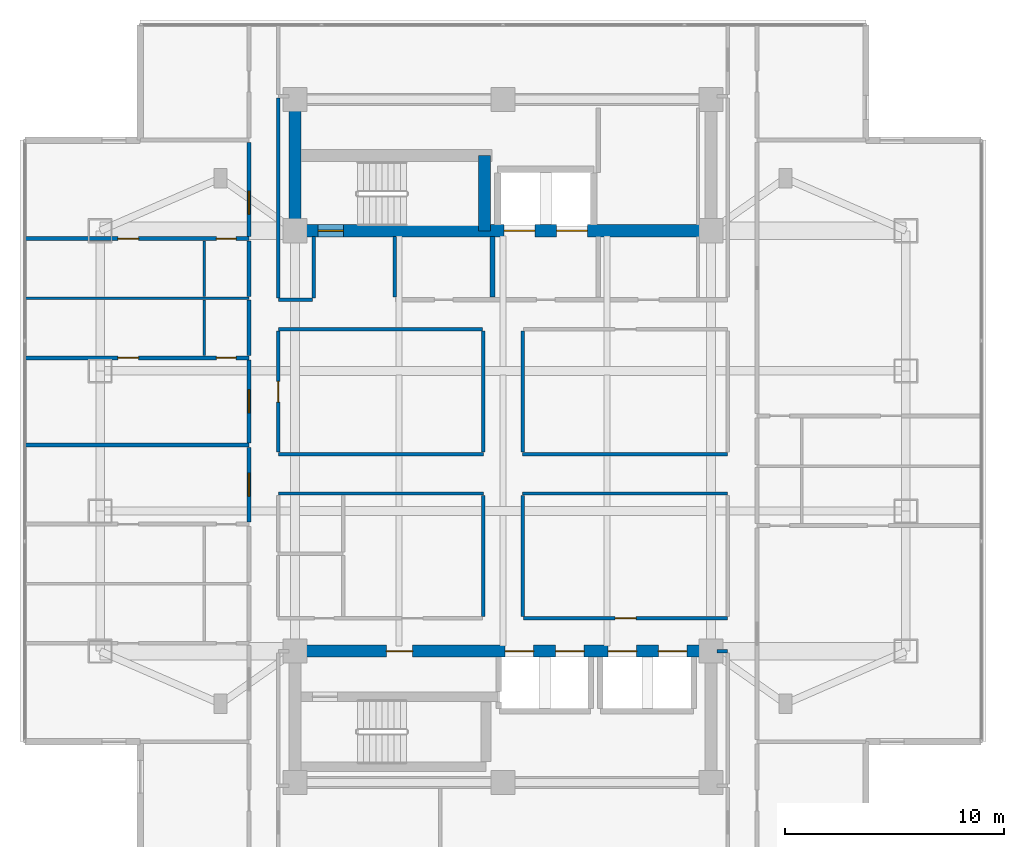
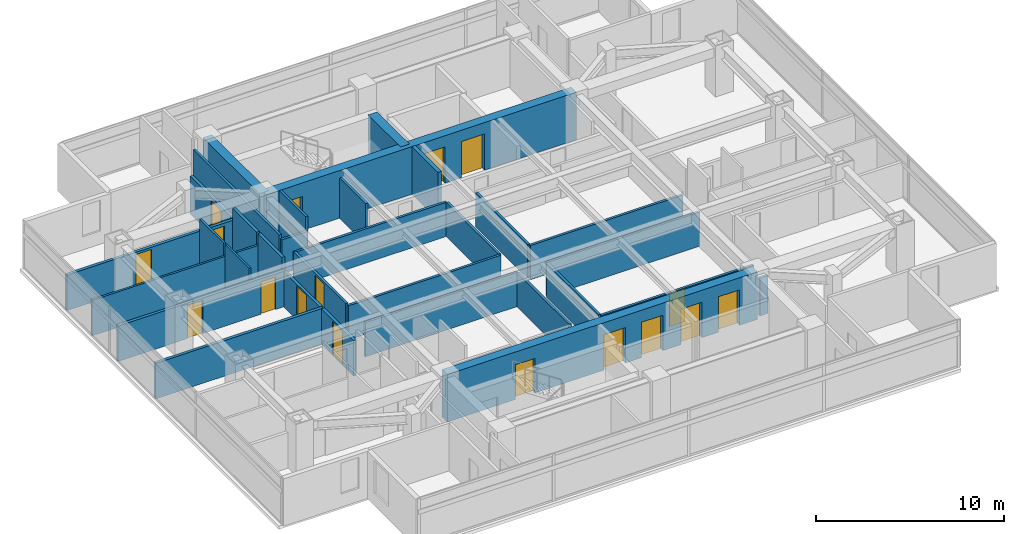
# One storey, part 14 of 24: 32 walls, 17 doors, 17 openings.
"""IFC4 building model written with IfcOpenShell, lengths in metres."""

import ifcopenshell
import ifcopenshell.guid

model = None  # the IFC model being written
_history = None  # IfcOwnerHistory: only IFC2X3 demands one
_inside = {}  # id of a spatial element -> (the spatial element, [elements in it])
_under = {}  # id of a project, library or spatial element -> (it, [spatial elements below it])
_declared = {}  # id of a project -> (the project, [libraries it declares])
_typed = {}  # id of a type object -> (the type object, [elements of that type])
_made_of = {}  # id of a material, layer set ... -> (it, [elements and type objects made of it])


def new_model(schema):
    """Start an empty IFC model of exactly this schema.

    Asked for "IFC4X3", IfcOpenShell would pick the latest addendum, in which some entities
    have other attributes; the version numbers below select the first issue.
    IFC2X3 requires an IfcOwnerHistory on every rooted entity: one is made here for all.
    """
    global model, _history
    if schema == "IFC4X3":
        model = ifcopenshell.file(schema_version=(4, 3, 0, 0))
    else:
        model = ifcopenshell.file(schema=schema)
    _inside.clear()
    _under.clear()
    _declared.clear()
    _typed.clear()
    _made_of.clear()
    _history = None
    if model.schema == "IFC2X3":
        org = make("IfcOrganization", Name="unknown")
        user = make(
            "IfcPersonAndOrganization",
            ThePerson=make("IfcPerson", FamilyName="unknown"),
            TheOrganization=org,
        )
        app = make(
            "IfcApplication",
            ApplicationDeveloper=org,
            Version="unknown",
            ApplicationFullName="unknown",
            ApplicationIdentifier="unknown",
        )
        _history = make(
            "IfcOwnerHistory",
            OwningUser=user,
            OwningApplication=app,
            ChangeAction="ADDED",
            CreationDate=0,
        )
    return model


def make(cls, **values):
    """One entity of the class cls with the attributes given. An attribute that is None is left unset."""
    return model.create_entity(
        cls, **{name: value for name, value in values.items() if value is not None}
    )


def rooted(cls, **values):
    """An entity with a GlobalId (a new one), such as an element, a storey or a relation."""
    return make(cls, GlobalId=ifcopenshell.guid.new(), OwnerHistory=_history, **values)


def si_unit(unit_type, name, prefix=None):
    """IfcSIUnit, for example si_unit("LENGTHUNIT", "METRE", prefix="MILLI")."""
    return make("IfcSIUnit", UnitType=unit_type, Prefix=prefix, Name=name)


def assignment(units):
    """IfcUnitAssignment: the units of a project."""
    return None if units is None else make("IfcUnitAssignment", Units=units)


def point(xyz):
    """IfcCartesianPoint."""
    return None if xyz is None else make("IfcCartesianPoint", Coordinates=xyz)


def direction(xyz):
    """IfcDirection."""
    return None if xyz is None else make("IfcDirection", DirectionRatios=xyz)


def frame(location, z_axis=None, x_axis=None):
    """IfcAxis2Placement3D, a coordinate frame: its origin and axes. An axis left out is left unset."""
    return make(
        "IfcAxis2Placement3D",
        Location=point(location),
        Axis=direction(z_axis),
        RefDirection=direction(x_axis),
    )


def frame_2d(location, x_axis=None):
    """IfcAxis2Placement2D, a coordinate frame in the plane: its origin and x axis."""
    return make(
        "IfcAxis2Placement2D", Location=point(location), RefDirection=direction(x_axis)
    )


def origin():
    """The frame at (0, 0, 0) with its axes left unset."""
    return frame((0.0, 0.0, 0.0))


def place(relative_to, where):
    """IfcLocalPlacement: puts the frame where relative to a parent placement (None: the world)."""
    return make(
        "IfcLocalPlacement", PlacementRelTo=relative_to, RelativePlacement=where
    )


def context(
    kind, dimensions, precision=None, world=None, true_north=None, identifier=None
):
    """IfcGeometricRepresentationContext, for example the 3D "Model" context."""
    return make(
        "IfcGeometricRepresentationContext",
        ContextIdentifier=identifier,
        ContextType=kind,
        CoordinateSpaceDimension=dimensions,
        Precision=precision,
        WorldCoordinateSystem=world,
        TrueNorth=true_north,
    )


def subcontext(parent, identifier, kind, view, scale=None):
    """IfcGeometricRepresentationSubContext, for example "Body" below "Model"."""
    return make(
        "IfcGeometricRepresentationSubContext",
        ContextIdentifier=identifier,
        ContextType=kind,
        ParentContext=parent,
        TargetScale=scale,
        TargetView=view,
    )


def project(units=None, contexts=None):
    """IfcProject with its units and contexts."""
    return rooted(
        "IfcProject",
        Name="project",
        RepresentationContexts=contexts,
        UnitsInContext=assignment(units),
    )


def spatial(cls, under=None, at=None, **own):
    """A site, building, storey or space (cls), placed at a placement, below another one or the project."""
    s = rooted(cls, ObjectPlacement=at, **own)
    if under is not None:
        _under.setdefault(under.id(), (under, []))[1].append(s)
    return s


def profile(cls, at=None, kind="AREA", **sizes):
    """A parametric profile (cls). Its sizes go by their IFC names, for example OverallWidth=200.0."""
    return make(cls, ProfileType=kind, Position=at, **sizes)


def rectangle(**sizes):
    """IfcRectangleProfileDef."""
    return profile("IfcRectangleProfileDef", **sizes)


def extrude(swept, where, along, depth):
    """IfcExtrudedAreaSolid: the profile swept, set in the frame where, extruded along a direction by depth."""
    return make(
        "IfcExtrudedAreaSolid",
        SweptArea=swept,
        Position=where,
        ExtrudedDirection=direction(along),
        Depth=depth,
    )


def shape(context_of_items, identifier, shape_type, items):
    """IfcShapeRepresentation: the items that make up one representation, for example the "Body"."""
    return make(
        "IfcShapeRepresentation",
        ContextOfItems=context_of_items,
        RepresentationIdentifier=identifier,
        RepresentationType=shape_type,
        Items=items,
    )


def material(Name=None, Category=None):
    """IfcMaterial."""
    return make("IfcMaterial", Name=Name, Category=Category)


def layer(
    of_material, thickness, ventilated=None, Name=None, Category=None, Priority=None
):
    """IfcMaterialLayer: one layer of a wall or slab, of a material (None: an air gap)."""
    return make(
        "IfcMaterialLayer",
        Material=of_material,
        LayerThickness=thickness,
        IsVentilated=ventilated,
        Name=Name,
        Category=Category,
        Priority=Priority,
    )


def layer_set(layers, Name=None):
    """IfcMaterialLayerSet."""
    return make("IfcMaterialLayerSet", MaterialLayers=layers, LayerSetName=Name)


def made_of(thing, what):
    """Note that an element or type object is made of a material, layer set ...; save() writes the relation."""
    if what is not None:
        _made_of.setdefault(what.id(), (what, []))[1].append(thing)
    return thing


def type_object(cls, material=None, **own):
    """A type object (cls), such as IfcWallType, which elements share."""
    return made_of(rooted(cls, **own), material)


def element(
    cls,
    number,
    at=None,
    inside=None,
    cuts=None,
    type_object=None,
    material=None,
    context=None,
    identifier="Body",
    shape_type=None,
    held_by="IfcProductDefinitionShape",
    body=None,
    shapes=None,
    **own,
):
    """One element of the class cls, such as IfcWall. Its Tag is "e" and its number.

    at: its placement. inside: the storey or other place that contains it. cuts: it is an
    opening in that element (IfcRelVoidsElement). A single representation is given by context,
    identifier, shape_type and body (its items); several are given by shapes. held_by: the class
    of the entity that holds the representations. save() writes the other relations.
    """
    e = rooted(cls, Tag="e%d" % number, ObjectPlacement=at, **own)
    if body is not None:
        shapes = [shape(context, identifier, shape_type, body)]
    if shapes is not None:
        e.Representation = make(held_by, Representations=shapes)
    if inside is not None:
        _inside.setdefault(inside.id(), (inside, []))[1].append(e)
    if cuts is not None:
        rooted(
            "IfcRelVoidsElement", RelatingBuildingElement=cuts, RelatedOpeningElement=e
        )
    if type_object is not None:
        _typed.setdefault(type_object.id(), (type_object, []))[1].append(e)
    return made_of(e, material)


def fill(opening, filler):
    """IfcRelFillsElement: the door or window that sits in an opening."""
    return rooted(
        "IfcRelFillsElement",
        RelatingOpeningElement=opening,
        RelatedBuildingElement=filler,
    )


def aggregate(whole, parts):
    """IfcRelAggregates: a whole, such as a stair, and the parts it consists of."""
    return rooted("IfcRelAggregates", RelatingObject=whole, RelatedObjects=parts)


def save(model, path):
    """Write the relations noted so far, then the file.

    IfcRelAggregates (storeys below a building ...), IfcRelContainedInSpatialStructure (elements
    in a storey), IfcRelDefinesByType, IfcRelAssociatesMaterial and IfcRelDeclares: one each for
    every whole, place, type object, material and project.
    """
    for whole, parts in _under.values():
        aggregate(whole, parts)
    for where, things in _inside.values():
        rooted(
            "IfcRelContainedInSpatialStructure",
            RelatedElements=things,
            RelatingStructure=where,
        )
    for kind, things in _typed.values():
        rooted("IfcRelDefinesByType", RelatedObjects=things, RelatingType=kind)
    for what, things in _made_of.values():
        rooted("IfcRelAssociatesMaterial", RelatedObjects=things, RelatingMaterial=what)
    for by, libraries in _declared.values():
        rooted("IfcRelDeclares", RelatingContext=by, RelatedDefinitions=libraries)
    model.write(path)


model = new_model("IFC4")

# Units and contexts
model_context = context("Model", 3, precision=1e-05, world=origin(), true_north=direction((0.0, 1.0)))
body_context = subcontext(model_context, "Body", "Model", "MODEL_VIEW")
ifc_project = project(units=[si_unit("LENGTHUNIT", "METRE"), si_unit("AREAUNIT", "SQUARE_METRE"), si_unit("VOLUMEUNIT", "CUBIC_METRE"), si_unit("PLANEANGLEUNIT", "RADIAN"), si_unit("MASSUNIT", "GRAM", prefix="KILO")], contexts=[model_context])

# Site, building, storey
site_placement = place(None, origin())
site = spatial("IfcSite", under=ifc_project, at=site_placement, CompositionType="ELEMENT")
building_placement = place(site_placement, origin())
building = spatial("IfcBuilding", under=site, at=building_placement, Name="Mirazonda Arch Towers", CompositionType="ELEMENT")
storey_placement = place(building_placement, frame((0.0, 0.0, 141.199951171875)))
storey = spatial("IfcBuildingStorey", under=building, at=storey_placement, Name="L40", CompositionType="ELEMENT", Elevation=141.199951171875)

# Wall
ifc_material_1 = material(Name="Concrete C50/60", Category="concrete")
ifc_layer_1 = layer(ifc_material_1, 0.550048828125, Name="WALL-CORE-550")
ifc_layer_set_1 = layer_set([ifc_layer_1], Name="Concrete C50/60")
wall_type_1 = type_object("IfcWallType", Name="WALL-CORE-550", PredefinedType="SHEAR", material=ifc_layer_set_1)
wall_1_placement = place(storey_placement, frame((11.0, 37.60009765625, 0.0), z_axis=(0.0, 0.0, 1.0), x_axis=(0.0, 1.0, 0.0)))
element("IfcWall", 1, at=wall_1_placement, inside=storey, type_object=wall_type_1, Name="L40 T1N-W Core Shear Wall", PredefinedType="SHEAR", context=body_context, shape_type="SweptSolid", body=[
    extrude(rectangle(XDim=6.0, YDim=0.550048828125, at=frame_2d((3.0, 0.0))), origin(), (0.0, 0.0, 1.0), 3.080078125),
])

# Wall, openings, doors
wall_2_placement = place(storey_placement, frame((11.0, 37.60009765625, 0.0), z_axis=(0.0, 0.0, 1.0), x_axis=(1.0, 0.0, 0.0)))
wall_2 = element("IfcWall", 2, at=wall_2_placement, inside=storey, type_object=wall_type_1, Name="L40 T1N-S Core Shear Wall", PredefinedType="SHEAR", context=body_context, shape_type="SweptSolid", body=[
    extrude(rectangle(XDim=19.0, YDim=0.550048828125, at=frame_2d((9.5, 0.0))), origin(), (0.0, 0.0, 1.0), 3.080078125),
])
opening_1_placement = place(wall_2_placement, frame((1.06005859375, 0.0, 0.0)))
opening_1 = element("IfcOpeningElement", 3, at=opening_1_placement, cuts=wall_2, Name="Opening DR-135", PredefinedType="OPENING", context=body_context, shape_type="SweptSolid", body=[
    extrude(rectangle(XDim=1.14990234375, YDim=2.199951171875, at=frame_2d((0.574951171875, 1.10009765625))), frame((0.0, 0.284912109375, 0.0), z_axis=(0.0, -1.0, 0.0), x_axis=(1.0, 0.0, 0.0)), (0.0, 0.0, 1.0), 0.570068359375),
])
opening_2_placement = place(wall_2_placement, frame((9.550048828125, 0.0, 0.0)))
opening_2 = element("IfcOpeningElement", 4, at=opening_2_placement, cuts=wall_2, Name="Opening LD-112", PredefinedType="OPENING", context=body_context, shape_type="SweptSolid", body=[
    extrude(rectangle(XDim=1.39990234375, YDim=2.35009765625, at=frame_2d((0.699951171875, 1.175048828125))), frame((0.0, 0.284912109375, 0.0), z_axis=(0.0, -1.0, 0.0), x_axis=(1.0, 0.0, 0.0)), (0.0, 0.0, 1.0), 0.570068359375),
])
opening_3_placement = place(wall_2_placement, frame((11.949951171875, 0.0, 0.0)))
opening_3 = element("IfcOpeningElement", 5, at=opening_3_placement, cuts=wall_2, Name="Opening LD-112", PredefinedType="OPENING", context=body_context, shape_type="SweptSolid", body=[
    extrude(rectangle(XDim=1.39990234375, YDim=2.35009765625, at=frame_2d((0.699951171875, 1.175048828125))), frame((0.0, 0.284912109375, 0.0), z_axis=(0.0, -1.0, 0.0), x_axis=(1.0, 0.0, 0.0)), (0.0, 0.0, 1.0), 0.570068359375),
])
ifc_material_2 = material(Name="Architectural Brushed Steel S355", Category="steel")
door_type_1 = type_object("IfcDoorType", Name="DOOR-LIFT-FFL-1400", OperationType="NOTDEFINED", PredefinedType="DOOR", material=ifc_material_2)
door_1_placement = place(opening_2_placement, origin())
door_1 = element("IfcDoor", 6, at=door_1_placement, inside=storey, type_object=door_type_1, Name="L40 Lift Landing Sliding Door FFL-T1", OperationType="DOUBLE_DOOR_SLIDING", OverallHeight=2.35009765625, OverallWidth=1.39990234375, PredefinedType="DOOR", context=body_context, shape_type="SweptSolid", body=[
    extrude(rectangle(XDim=1.39990234375, YDim=2.35009765625, at=frame_2d((0.699951171875, 1.175048828125))), frame((0.0, 0.02490234375, 0.0), z_axis=(0.0, -1.0, 0.0), x_axis=(1.0, 0.0, 0.0)), (0.0, 0.0, 1.0), 0.050048828125),
])
fill(opening_2, door_1)
door_2_placement = place(opening_3_placement, origin())
door_2 = element("IfcDoor", 7, at=door_2_placement, inside=storey, type_object=door_type_1, Name="L40 Lift Landing Sliding Door SVL-T1", OperationType="DOUBLE_DOOR_SLIDING", OverallHeight=2.35009765625, OverallWidth=1.39990234375, PredefinedType="DOOR", context=body_context, shape_type="SweptSolid", body=[
    extrude(rectangle(XDim=1.39990234375, YDim=2.35009765625, at=frame_2d((0.699951171875, 1.175048828125))), frame((0.0, 0.02490234375, 0.0), z_axis=(0.0, -1.0, 0.0), x_axis=(1.0, 0.0, 0.0)), (0.0, 0.0, 1.0), 0.050048828125),
])
fill(opening_3, door_2)
door_type_2 = type_object("IfcDoorType", Name="DOOR-STAIR-FD90-1150", OperationType="NOTDEFINED", PredefinedType="DOOR", material=ifc_material_2)
door_3_placement = place(opening_1_placement, origin())
door_3 = element("IfcDoor", 8, at=door_3_placement, inside=storey, type_object=door_type_2, Name="L40 Protected Exit Stair North Door", OperationType="SINGLE_SWING_LEFT", OverallHeight=2.199951171875, OverallWidth=1.14990234375, PredefinedType="DOOR", context=body_context, shape_type="SweptSolid", body=[
    extrude(rectangle(XDim=1.14990234375, YDim=2.199951171875, at=frame_2d((0.574951171875, 1.10009765625))), frame((0.0, 0.02490234375, 0.0), z_axis=(0.0, -1.0, 0.0), x_axis=(1.0, 0.0, 0.0)), (0.0, 0.0, 1.0), 0.050048828125),
])
fill(opening_1, door_3)

# Wall
wall_3_placement = place(storey_placement, frame((19.64990234375, 37.60009765625, 0.0), z_axis=(0.0, 0.0, 1.0), x_axis=(0.0, 1.0, 0.0)))
element("IfcWall", 9, at=wall_3_placement, inside=storey, type_object=wall_type_1, Name="L40 T1N-STE Core Shear Wall", PredefinedType="SHEAR", context=body_context, shape_type="SweptSolid", body=[
    extrude(rectangle(XDim=3.44287109375, YDim=0.550048828125, at=frame_2d((1.721435546875, 0.0))), origin(), (0.0, 0.0, 1.0), 3.080078125),
])

# Wall, openings, doors
wall_4_placement = place(storey_placement, frame((11.0, 18.39990234375, 0.0), z_axis=(0.0, 0.0, 1.0), x_axis=(1.0, 0.0, 0.0)))
wall_4 = element("IfcWall", 10, at=wall_4_placement, inside=storey, type_object=wall_type_1, Name="L40 T1S-N Core Shear Wall", PredefinedType="SHEAR", context=body_context, shape_type="SweptSolid", body=[
    extrude(rectangle(XDim=19.0, YDim=0.550048828125, at=frame_2d((9.5, 0.0))), origin(), (0.0, 0.0, 1.0), 3.080078125),
])
opening_4_placement = place(wall_4_placement, frame((4.175048828125, 0.0, 0.0)))
opening_4 = element("IfcOpeningElement", 11, at=opening_4_placement, cuts=wall_4, Name="Opening DR-117", PredefinedType="OPENING", context=body_context, shape_type="SweptSolid", body=[
    extrude(rectangle(XDim=1.199951171875, YDim=2.25, at=frame_2d((0.60009765625, 1.125))), frame((0.0, 0.284912109375, 0.0), z_axis=(0.0, -1.0, 0.0), x_axis=(1.0, 0.0, 0.0)), (0.0, 0.0, 1.0), 0.570068359375),
])
opening_5_placement = place(wall_4_placement, frame((9.60009765625, 0.0, 0.0)))
opening_5 = element("IfcOpeningElement", 12, at=opening_5_placement, cuts=wall_4, Name="Opening LD-111", PredefinedType="OPENING", context=body_context, shape_type="SweptSolid", body=[
    extrude(rectangle(XDim=1.300048828125, YDim=2.300048828125, at=frame_2d((0.64990234375, 1.14990234375))), frame((0.0, 0.284912109375, 0.0), z_axis=(0.0, -1.0, 0.0), x_axis=(1.0, 0.0, 0.0)), (0.0, 0.0, 1.0), 0.570068359375),
])
opening_6_placement = place(wall_4_placement, frame((11.89990234375, 0.0, 0.0)))
opening_6 = element("IfcOpeningElement", 13, at=opening_6_placement, cuts=wall_4, Name="Opening LD-111", PredefinedType="OPENING", context=body_context, shape_type="SweptSolid", body=[
    extrude(rectangle(XDim=1.300048828125, YDim=2.300048828125, at=frame_2d((0.64990234375, 1.14990234375))), frame((0.0, 0.284912109375, 0.0), z_axis=(0.0, -1.0, 0.0), x_axis=(1.0, 0.0, 0.0)), (0.0, 0.0, 1.0), 0.570068359375),
])
opening_7_placement = place(wall_4_placement, frame((14.300048828125, 0.0, 0.0)))
opening_7 = element("IfcOpeningElement", 14, at=opening_7_placement, cuts=wall_4, Name="Opening LD-111", PredefinedType="OPENING", context=body_context, shape_type="SweptSolid", body=[
    extrude(rectangle(XDim=1.300048828125, YDim=2.300048828125, at=frame_2d((0.64990234375, 1.14990234375))), frame((0.0, 0.284912109375, 0.0), z_axis=(0.0, -1.0, 0.0), x_axis=(1.0, 0.0, 0.0)), (0.0, 0.0, 1.0), 0.570068359375),
])
opening_8_placement = place(wall_4_placement, frame((16.60009765625, 0.0, 0.0)))
opening_8 = element("IfcOpeningElement", 15, at=opening_8_placement, cuts=wall_4, Name="Opening LD-111", PredefinedType="OPENING", context=body_context, shape_type="SweptSolid", body=[
    extrude(rectangle(XDim=1.300048828125, YDim=2.300048828125, at=frame_2d((0.64990234375, 1.14990234375))), frame((0.0, 0.284912109375, 0.0), z_axis=(0.0, -1.0, 0.0), x_axis=(1.0, 0.0, 0.0)), (0.0, 0.0, 1.0), 0.570068359375),
])
door_type_3 = type_object("IfcDoorType", Name="DOOR-FFL-FD90-1200", OperationType="NOTDEFINED", PredefinedType="DOOR", material=ifc_material_2)
door_4_placement = place(opening_4_placement, origin())
door_4 = element("IfcDoor", 16, at=door_4_placement, inside=storey, type_object=door_type_3, Name="L40 South Core Stair & Lift Lobby Door", OperationType="SINGLE_SWING_LEFT", OverallHeight=2.25, OverallWidth=1.199951171875, PredefinedType="DOOR", context=body_context, shape_type="SweptSolid", body=[
    extrude(rectangle(XDim=1.199951171875, YDim=2.25, at=frame_2d((0.60009765625, 1.125))), frame((0.0, 0.02490234375, 0.0), z_axis=(0.0, -1.0, 0.0), x_axis=(1.0, 0.0, 0.0)), (0.0, 0.0, 1.0), 0.050048828125),
])
fill(opening_4, door_4)
door_type_4 = type_object("IfcDoorType", Name="DOOR-LIFT-LAND-1300", OperationType="NOTDEFINED", PredefinedType="DOOR", material=ifc_material_2)
door_5_placement = place(opening_5_placement, origin())
door_5 = element("IfcDoor", 17, at=door_5_placement, inside=storey, type_object=door_type_4, Name="L40 Lift Landing Sliding Door PL-T1M1", OperationType="DOUBLE_DOOR_SLIDING", OverallHeight=2.300048828125, OverallWidth=1.300048828125, PredefinedType="DOOR", context=body_context, shape_type="SweptSolid", body=[
    extrude(rectangle(XDim=1.300048828125, YDim=2.300048828125, at=frame_2d((0.64990234375, 1.14990234375))), frame((0.0, 0.02490234375, 0.0), z_axis=(0.0, -1.0, 0.0), x_axis=(1.0, 0.0, 0.0)), (0.0, 0.0, 1.0), 0.050048828125),
])
fill(opening_5, door_5)
door_6_placement = place(opening_6_placement, origin())
door_6 = element("IfcDoor", 18, at=door_6_placement, inside=storey, type_object=door_type_4, Name="L40 Lift Landing Sliding Door PL-T1M2", OperationType="DOUBLE_DOOR_SLIDING", OverallHeight=2.300048828125, OverallWidth=1.300048828125, PredefinedType="DOOR", context=body_context, shape_type="SweptSolid", body=[
    extrude(rectangle(XDim=1.300048828125, YDim=2.300048828125, at=frame_2d((0.64990234375, 1.14990234375))), frame((0.0, 0.02490234375, 0.0), z_axis=(0.0, -1.0, 0.0), x_axis=(1.0, 0.0, 0.0)), (0.0, 0.0, 1.0), 0.050048828125),
])
fill(opening_6, door_6)
door_7_placement = place(opening_7_placement, origin())
door_7 = element("IfcDoor", 19, at=door_7_placement, inside=storey, type_object=door_type_4, Name="L40 Lift Landing Sliding Door PL-T1H1", OperationType="DOUBLE_DOOR_SLIDING", OverallHeight=2.300048828125, OverallWidth=1.300048828125, PredefinedType="DOOR", context=body_context, shape_type="SweptSolid", body=[
    extrude(rectangle(XDim=1.300048828125, YDim=2.300048828125, at=frame_2d((0.64990234375, 1.14990234375))), frame((0.0, 0.02490234375, 0.0), z_axis=(0.0, -1.0, 0.0), x_axis=(1.0, 0.0, 0.0)), (0.0, 0.0, 1.0), 0.050048828125),
])
fill(opening_7, door_7)
door_8_placement = place(opening_8_placement, origin())
door_8 = element("IfcDoor", 20, at=door_8_placement, inside=storey, type_object=door_type_4, Name="L40 Lift Landing Sliding Door PL-T1H2", OperationType="DOUBLE_DOOR_SLIDING", OverallHeight=2.300048828125, OverallWidth=1.300048828125, PredefinedType="DOOR", context=body_context, shape_type="SweptSolid", body=[
    extrude(rectangle(XDim=1.300048828125, YDim=2.300048828125, at=frame_2d((0.64990234375, 1.14990234375))), frame((0.0, 0.02490234375, 0.0), z_axis=(0.0, -1.0, 0.0), x_axis=(1.0, 0.0, 0.0)), (0.0, 0.0, 1.0), 0.050048828125),
])
fill(opening_8, door_8)

# Walls
ifc_material_3 = material(Name="Concrete C40/50", Category="concrete")
ifc_layer_2 = layer(ifc_material_3, 0.219970703125, Name="WALL-FFL-220")
ifc_layer_set_2 = layer_set([ifc_layer_2], Name="Concrete C40/50")
wall_type_2 = type_object("IfcWallType", Name="WALL-FFL-220", PredefinedType="SOLIDWALL", material=ifc_layer_set_2)
wall_5_placement = place(storey_placement, frame((20.02490234375, 34.570068359375, 0.0), z_axis=(0.0, 0.0, 1.0), x_axis=(0.0, 1.0, 0.0)))
element("IfcWall", 21, at=wall_5_placement, inside=storey, type_object=wall_type_2, Name="L40 Interior Partition 092", PredefinedType="SOLIDWALL", context=body_context, shape_type="SweptSolid", body=[
    extrude(rectangle(XDim=2.760009765625, YDim=0.219970703125, at=frame_2d((1.3798828125, 0.0))), origin(), (0.0, 0.0, 1.0), 3.080078125),
])
ifc_material_4 = material(Name="Fire-Rated Gypsum Stud Partition")
ifc_layer_3 = layer(ifc_material_4, 0.14990234375, Name="WALL-PART-CORR-150")
ifc_layer_set_3 = layer_set([ifc_layer_3], Name="Fire-Rated Gypsum Stud Partition")
wall_type_3 = type_object("IfcWallType", Name="WALL-PART-CORR-150", PredefinedType="PARTITIONING", material=ifc_layer_set_3)
wall_6_placement = place(storey_placement, frame((30.27001953125, 18.39990234375, 0.0), z_axis=(0.0, 0.0, 1.0), x_axis=(1.0, 0.0, 0.0)))
element("IfcWall", 22, at=wall_6_placement, inside=storey, type_object=wall_type_3, Name="L40 Interior Partition 013", PredefinedType="PARTITIONING", context=body_context, shape_type="SweptSolid", body=[
    extrude(rectangle(XDim=0.489990234375, YDim=0.14990234375, at=frame_2d((0.2451171875, 0.0))), origin(), (0.0, 0.0, 1.0), 2.4560546875),
])

# Wall, opening, door
wall_7_placement = place(storey_placement, frame((21.43994140625, 19.89990234375, 0.0), z_axis=(0.0, 0.0, 1.0), x_axis=(1.0, 0.0, 0.0)))
wall_7 = element("IfcWall", 23, at=wall_7_placement, inside=storey, type_object=wall_type_3, Name="L40 Interior Partition 017", PredefinedType="PARTITIONING", context=body_context, shape_type="SweptSolid", body=[
    extrude(rectangle(XDim=9.320068359375, YDim=0.14990234375, at=frame_2d((4.66015625, 0.0))), origin(), (0.0, 0.0, 1.0), 2.216064453125),
])
opening_9_placement = place(wall_7_placement, frame((4.18505859375, 0.0, 0.0)))
opening_9 = element("IfcOpeningElement", 24, at=opening_9_placement, cuts=wall_7, Name="Opening DR-104", PredefinedType="OPENING", context=body_context, shape_type="SweptSolid", body=[
    extrude(rectangle(XDim=0.949951171875, YDim=2.14990234375, at=frame_2d((0.47509765625, 1.074951171875))), frame((0.0, 0.0849609375, 0.0), z_axis=(0.0, -1.0, 0.0), x_axis=(1.0, 0.0, 0.0)), (0.0, 0.0, 1.0), 0.169921875),
])
door_type_5 = type_object("IfcDoorType", Name="DOOR-ROOM-950", OperationType="NOTDEFINED", PredefinedType="DOOR", material=ifc_material_2)
door_9_placement = place(opening_9_placement, origin())
door_9 = element("IfcDoor", 25, at=door_9_placement, inside=storey, type_object=door_type_5, Name="L40 L40 South-East Cruciform Lounge Door", OperationType="SINGLE_SWING_RIGHT", OverallHeight=2.14990234375, OverallWidth=0.949951171875, PredefinedType="DOOR", context=body_context, shape_type="SweptSolid", body=[
    extrude(rectangle(XDim=0.949951171875, YDim=2.14990234375, at=frame_2d((0.47509765625, 1.074951171875))), frame((0.0, 0.02490234375, 0.0), z_axis=(0.0, -1.0, 0.0), x_axis=(1.0, 0.0, 0.0)), (0.0, 0.0, 1.0), 0.050048828125),
])
fill(opening_9, door_9)

# Walls
for number, where, z_axis, x_axis, name in (
    (26, (10.239990234375, 25.60009765625, 0.0), (0.0, 0.0, 1.0), (1.0, 0.0, 0.0), "L40 Interior Partition 029"),
    (27, (21.39990234375, 25.60009765625, 0.0), (0.0, 0.0, 1.0), (1.0, 0.0, 0.0), "L40 Interior Partition 030"),
    (28, (10.239990234375, 27.39990234375, 0.0), (0.0, 0.0, 1.0), (1.0, 0.0, 0.0), "L40 Interior Partition 034"),
    (29, (21.39990234375, 27.39990234375, 0.0), (0.0, 0.0, 1.0), (1.0, 0.0, 0.0), "L40 Interior Partition 035"),
):
    element("IfcWall", number, at=place(storey_placement, frame(where, z_axis=z_axis, x_axis=x_axis)), inside=storey, type_object=wall_type_3, Name=name, PredefinedType="PARTITIONING", context=body_context, shape_type="SweptSolid", body=[
        extrude(rectangle(XDim=9.360107421875, YDim=0.14990234375, at=frame_2d((4.68017578125, 0.0))), origin(), (0.0, 0.0, 1.0), 2.216064453125),
    ])
wall_8_placement = place(storey_placement, frame((10.239990234375, 33.10009765625, 0.0), z_axis=(0.0, 0.0, 1.0), x_axis=(1.0, 0.0, 0.0)))
element("IfcWall", 30, at=wall_8_placement, inside=storey, type_object=wall_type_3, Name="L40 Interior Partition 045", PredefinedType="PARTITIONING", context=body_context, shape_type="SweptSolid", body=[
    extrude(rectangle(XDim=9.320068359375, YDim=0.14990234375, at=frame_2d((4.66015625, 0.0))), origin(), (0.0, 0.0, 1.0), 2.216064453125),
])
wall_9_placement = place(storey_placement, frame((10.239990234375, 34.449951171875, 0.0), z_axis=(0.0, 0.0, 1.0), x_axis=(1.0, 0.0, 0.0)))
element("IfcWall", 31, at=wall_9_placement, inside=storey, type_object=wall_type_3, Name="L40 Interior Partition 048", PredefinedType="PARTITIONING", context=body_context, shape_type="SweptSolid", body=[
    extrude(rectangle(XDim=1.56005859375, YDim=0.14990234375, at=frame_2d((0.780029296875, 0.0))), origin(), (0.0, 0.0, 1.0), 2.216064453125),
])

# Wall, opening, door
wall_10_placement = place(storey_placement, frame((10.239990234375, 27.485107421875, 0.0), z_axis=(0.0, 0.0, 1.0), x_axis=(0.0, 1.0, 0.0)))
wall_10 = element("IfcWall", 32, at=wall_10_placement, inside=storey, type_object=wall_type_3, Name="L40 Interior Partition 081", PredefinedType="PARTITIONING", context=body_context, shape_type="SweptSolid", body=[
    extrude(rectangle(XDim=5.52978515625, YDim=0.14990234375, at=frame_2d((2.764892578125, 0.0))), origin(), (0.0, 0.0, 1.0), 2.299072265625),
])
opening_10_placement = place(wall_10_placement, frame((2.2900390625, 0.0, 0.0)))
opening_10 = element("IfcOpeningElement", 33, at=opening_10_placement, cuts=wall_10, Name="Opening DR-104", PredefinedType="OPENING", context=body_context, shape_type="SweptSolid", body=[
    extrude(rectangle(XDim=0.949951171875, YDim=2.14990234375, at=frame_2d((0.47509765625, 1.074951171875))), frame((0.0, 0.0849609375, 0.0), z_axis=(0.0, -1.0, 0.0), x_axis=(1.0, 0.0, 0.0)), (0.0, 0.0, 1.0), 0.169921875),
])
door_10_placement = place(opening_10_placement, origin())
door_10 = element("IfcDoor", 34, at=door_10_placement, inside=storey, type_object=door_type_5, Name="L40 L40 West Courtyard Reading Salon Door", OperationType="SINGLE_SWING_LEFT", OverallHeight=2.14990234375, OverallWidth=0.949951171875, PredefinedType="DOOR", context=body_context, shape_type="SweptSolid", body=[
    extrude(rectangle(XDim=0.949951171875, YDim=2.14990234375, at=frame_2d((0.47509765625, 1.074951171875))), frame((0.0, 0.02490234375, 0.0), z_axis=(0.0, -1.0, 0.0), x_axis=(1.0, 0.0, 0.0)), (0.0, 0.0, 1.0), 0.050048828125),
])
fill(opening_10, door_10)

# Walls
wall_11_placement = place(storey_placement, frame((10.239990234375, 34.534912109375, 0.0), z_axis=(0.0, 0.0, 1.0), x_axis=(0.0, 1.0, 0.0)))
element("IfcWall", 35, at=wall_11_placement, inside=storey, type_object=wall_type_3, Name="L40 Interior Partition 082", PredefinedType="PARTITIONING", context=body_context, shape_type="SweptSolid", body=[
    extrude(rectangle(XDim=9.130126953125, YDim=0.14990234375, at=frame_2d((4.56494140625, 0.0))), origin(), (0.0, 0.0, 1.0), 2.4560546875),
])
wall_12_placement = place(storey_placement, frame((11.85009765625, 34.534912109375, 0.0), z_axis=(0.0, 0.0, 1.0), x_axis=(0.0, 1.0, 0.0)))
element("IfcWall", 36, at=wall_12_placement, inside=storey, type_object=wall_type_3, Name="L40 Interior Partition 084", PredefinedType="PARTITIONING", context=body_context, shape_type="SweptSolid", body=[
    extrude(rectangle(XDim=2.795166015625, YDim=0.14990234375, at=frame_2d((1.3974609375, 0.0))), origin(), (0.0, 0.0, 1.0), 3.080078125),
])
wall_13_placement = place(storey_placement, frame((15.550048828125, 34.570068359375, 0.0), z_axis=(0.0, 0.0, 1.0), x_axis=(0.0, 1.0, 0.0)))
element("IfcWall", 37, at=wall_13_placement, inside=storey, type_object=wall_type_3, Name="L40 Interior Partition 087", PredefinedType="PARTITIONING", context=body_context, shape_type="SweptSolid", body=[
    extrude(rectangle(XDim=2.760009765625, YDim=0.14990234375, at=frame_2d((1.3798828125, 0.0))), origin(), (0.0, 0.0, 1.0), 2.609130859375),
])
for number, where, z_axis, x_axis, name in (
    (38, (19.60009765625, 19.985107421875, 0.0), (0.0, 0.0, 1.0), (0.0, 1.0, 0.0), "L40 Interior Partition 089"),
    (39, (19.60009765625, 27.485107421875, 0.0), (0.0, 0.0, 1.0), (0.0, 1.0, 0.0), "L40 Interior Partition 090"),
    (40, (21.39990234375, 19.985107421875, 0.0), (0.0, 0.0, 1.0), (0.0, 1.0, 0.0), "L40 Interior Partition 096"),
    (41, (21.39990234375, 27.485107421875, 0.0), (0.0, 0.0, 1.0), (0.0, 1.0, 0.0), "L40 Interior Partition 097"),
):
    element("IfcWall", number, at=place(storey_placement, frame(where, z_axis=z_axis, x_axis=x_axis)), inside=storey, type_object=wall_type_3, Name=name, PredefinedType="PARTITIONING", context=body_context, shape_type="SweptSolid", body=[
        extrude(rectangle(XDim=5.52978515625, YDim=0.14990234375, at=frame_2d((2.764892578125, 0.0))), origin(), (0.0, 0.0, 1.0), 2.216064453125),
    ])
ifc_material_5 = material(Name="Fire-Rated Gypsum Twin-Stud Assembly")
ifc_layer_4 = layer(ifc_material_5, 0.179931640625, Name="WALL-PART-DEMISE-180")
ifc_layer_set_4 = layer_set([ifc_layer_4], Name="Fire-Rated Gypsum Twin-Stud Assembly")
wall_type_4 = type_object("IfcWallType", Name="WALL-PART-DEMISE-180", PredefinedType="PARTITIONING", material=ifc_layer_set_4)
wall_14_placement = place(storey_placement, frame((-1.340087890625, 27.80810546875, 0.0), z_axis=(0.0, 0.0, 1.0), x_axis=(1.0, 0.0, 0.0)))
element("IfcWall", 42, at=wall_14_placement, inside=storey, type_object=wall_type_4, Name="L40 Interior Partition 036", PredefinedType="PARTITIONING", context=body_context, shape_type="SweptSolid", body=[
    extrude(rectangle(XDim=10.239990234375, YDim=0.179931640625, at=frame_2d((5.1201171875, 0.0))), origin(), (0.0, 0.0, 1.0), 2.299072265625),
])

# Wall, openings, doors
wall_15_placement = place(storey_placement, frame((-1.340087890625, 31.798095703125, 0.0), z_axis=(0.0, 0.0, 1.0), x_axis=(1.0, 0.0, 0.0)))
wall_15 = element("IfcWall", 43, at=wall_15_placement, inside=storey, type_object=wall_type_4, Name="L40 Interior Partition 041", PredefinedType="PARTITIONING", context=body_context, shape_type="SweptSolid", body=[
    extrude(rectangle(XDim=10.239990234375, YDim=0.179931640625, at=frame_2d((5.1201171875, 0.0))), origin(), (0.0, 0.0, 1.0), 2.299072265625),
])
opening_11_placement = place(wall_15_placement, frame((4.2451171875, 0.0, 0.0)))
opening_11 = element("IfcOpeningElement", 44, at=opening_11_placement, cuts=wall_15, Name="Opening DR-104", PredefinedType="OPENING", context=body_context, shape_type="SweptSolid", body=[
    extrude(rectangle(XDim=0.949951171875, YDim=2.14990234375, at=frame_2d((0.47509765625, 1.074951171875))), frame((0.0, 0.099853515625, 0.0), z_axis=(0.0, -1.0, 0.0), x_axis=(1.0, 0.0, 0.0)), (0.0, 0.0, 1.0), 0.199951171875),
])
opening_12_placement = place(wall_15_placement, frame((8.75, 0.0, 0.0)))
opening_12 = element("IfcOpeningElement", 45, at=opening_12_placement, cuts=wall_15, Name="Opening DR-120", PredefinedType="OPENING", context=body_context, shape_type="SweptSolid", body=[
    extrude(rectangle(XDim=0.89990234375, YDim=2.10009765625, at=frame_2d((0.449951171875, 1.050048828125))), frame((0.0, 0.099853515625, 0.0), z_axis=(0.0, -1.0, 0.0), x_axis=(1.0, 0.0, 0.0)), (0.0, 0.0, 1.0), 0.199951171875),
])
door_11_placement = place(opening_11_placement, origin())
door_11 = element("IfcDoor", 46, at=door_11_placement, inside=storey, type_object=door_type_5, Name="L40 Guestroom Study 3 Door", OperationType="SINGLE_SWING_LEFT", OverallHeight=2.14990234375, OverallWidth=0.949951171875, PredefinedType="DOOR", context=body_context, shape_type="SweptSolid", body=[
    extrude(rectangle(XDim=0.949951171875, YDim=2.14990234375, at=frame_2d((0.47509765625, 1.074951171875))), frame((0.0, 0.02490234375, 0.0), z_axis=(0.0, -1.0, 0.0), x_axis=(1.0, 0.0, 0.0)), (0.0, 0.0, 1.0), 0.050048828125),
])
fill(opening_11, door_11)
door_type_6 = type_object("IfcDoorType", Name="DOOR-WC-900", OperationType="NOTDEFINED", PredefinedType="DOOR", material=ifc_material_2)
door_12_placement = place(opening_12_placement, origin())
door_12 = element("IfcDoor", 47, at=door_12_placement, inside=storey, type_object=door_type_6, Name="L40 En-Suite Bathroom 3 Door", OperationType="SINGLE_SWING_RIGHT", OverallHeight=2.10009765625, OverallWidth=0.89990234375, PredefinedType="DOOR", context=body_context, shape_type="SweptSolid", body=[
    extrude(rectangle(XDim=0.89990234375, YDim=2.10009765625, at=frame_2d((0.449951171875, 1.050048828125))), frame((0.0, 0.02490234375, 0.0), z_axis=(0.0, -1.0, 0.0), x_axis=(1.0, 0.0, 0.0)), (0.0, 0.0, 1.0), 0.050048828125),
])
fill(opening_12, door_12)

wall_16_placement = place(storey_placement, frame((-1.340087890625, 37.238037109375, 0.0), z_axis=(0.0, 0.0, 1.0), x_axis=(1.0, 0.0, 0.0)))
wall_16 = element("IfcWall", 48, at=wall_16_placement, inside=storey, type_object=wall_type_4, Name="L40 Interior Partition 053", PredefinedType="PARTITIONING", context=body_context, shape_type="SweptSolid", body=[
    extrude(rectangle(XDim=10.239990234375, YDim=0.179931640625, at=frame_2d((5.1201171875, 0.0))), origin(), (0.0, 0.0, 1.0), 2.299072265625),
])
opening_13_placement = place(wall_16_placement, frame((4.2451171875, 0.0, 0.0)))
opening_13 = element("IfcOpeningElement", 49, at=opening_13_placement, cuts=wall_16, Name="Opening DR-104", PredefinedType="OPENING", context=body_context, shape_type="SweptSolid", body=[
    extrude(rectangle(XDim=0.949951171875, YDim=2.14990234375, at=frame_2d((0.47509765625, 1.074951171875))), frame((0.0, 0.099853515625, 0.0), z_axis=(0.0, -1.0, 0.0), x_axis=(1.0, 0.0, 0.0)), (0.0, 0.0, 1.0), 0.199951171875),
])
opening_14_placement = place(wall_16_placement, frame((8.75, 0.0, 0.0)))
opening_14 = element("IfcOpeningElement", 50, at=opening_14_placement, cuts=wall_16, Name="Opening DR-120", PredefinedType="OPENING", context=body_context, shape_type="SweptSolid", body=[
    extrude(rectangle(XDim=0.89990234375, YDim=2.10009765625, at=frame_2d((0.449951171875, 1.050048828125))), frame((0.0, 0.099853515625, 0.0), z_axis=(0.0, -1.0, 0.0), x_axis=(1.0, 0.0, 0.0)), (0.0, 0.0, 1.0), 0.199951171875),
])
door_13_placement = place(opening_13_placement, origin())
door_13 = element("IfcDoor", 51, at=door_13_placement, inside=storey, type_object=door_type_5, Name="L40 Guestroom Study 4 Door", OperationType="SINGLE_SWING_RIGHT", OverallHeight=2.14990234375, OverallWidth=0.949951171875, PredefinedType="DOOR", context=body_context, shape_type="SweptSolid", body=[
    extrude(rectangle(XDim=0.949951171875, YDim=2.14990234375, at=frame_2d((0.47509765625, 1.074951171875))), frame((0.0, 0.02490234375, 0.0), z_axis=(0.0, -1.0, 0.0), x_axis=(1.0, 0.0, 0.0)), (0.0, 0.0, 1.0), 0.050048828125),
])
fill(opening_13, door_13)
door_14_placement = place(opening_14_placement, origin())
door_14 = element("IfcDoor", 52, at=door_14_placement, inside=storey, type_object=door_type_6, Name="L40 En-Suite Bathroom 4 Door", OperationType="SINGLE_SWING_LEFT", OverallHeight=2.10009765625, OverallWidth=0.89990234375, PredefinedType="DOOR", context=body_context, shape_type="SweptSolid", body=[
    extrude(rectangle(XDim=0.89990234375, YDim=2.10009765625, at=frame_2d((0.449951171875, 1.050048828125))), frame((0.0, 0.02490234375, 0.0), z_axis=(0.0, -1.0, 0.0), x_axis=(1.0, 0.0, 0.0)), (0.0, 0.0, 1.0), 0.050048828125),
])
fill(opening_14, door_14)

# Wall, opening, door
wall_17_placement = place(storey_placement, frame((8.89990234375, 24.302001953125, 0.0), z_axis=(0.0, 0.0, 1.0), x_axis=(0.0, 1.0, 0.0)))
wall_17 = element("IfcWall", 53, at=wall_17_placement, inside=storey, type_object=wall_type_4, Name="L40 Interior Partition 071", PredefinedType="PARTITIONING", context=body_context, shape_type="SweptSolid", body=[
    extrude(rectangle(XDim=3.406005859375, YDim=0.179931640625, at=frame_2d((1.703125, 0.0))), origin(), (0.0, 0.0, 1.0), 2.299072265625),
])
opening_15_placement = place(wall_17_placement, frame((1.177978515625, 0.0, 0.0)))
opening_15 = element("IfcOpeningElement", 54, at=opening_15_placement, cuts=wall_17, Name="Opening DR-121", PredefinedType="OPENING", context=body_context, shape_type="SweptSolid", body=[
    extrude(rectangle(XDim=1.050048828125, YDim=2.199951171875, at=frame_2d((0.52490234375, 1.10009765625))), frame((0.0, 0.099853515625, 0.0), z_axis=(0.0, -1.0, 0.0), x_axis=(1.0, 0.0, 0.0)), (0.0, 0.0, 1.0), 0.199951171875),
])
door_type_7 = type_object("IfcDoorType", Name="DOOR-SUITE-FD60-1050", OperationType="NOTDEFINED", PredefinedType="DOOR", material=ifc_material_2)
door_15_placement = place(opening_15_placement, origin())
door_15 = element("IfcDoor", 55, at=door_15_placement, inside=storey, type_object=door_type_7, Name="L40 Twin Hotel Guestroom 2 Door", OperationType="SINGLE_SWING_LEFT", OverallHeight=2.199951171875, OverallWidth=1.050048828125, PredefinedType="DOOR", context=body_context, shape_type="SweptSolid", body=[
    extrude(rectangle(XDim=1.050048828125, YDim=2.199951171875, at=frame_2d((0.52490234375, 1.10009765625))), frame((0.0, 0.02490234375, 0.0), z_axis=(0.0, -1.0, 0.0), x_axis=(1.0, 0.0, 0.0)), (0.0, 0.0, 1.0), 0.050048828125),
])
fill(opening_15, door_15)

wall_18_placement = place(storey_placement, frame((8.89990234375, 27.907958984375, 0.0), z_axis=(0.0, 0.0, 1.0), x_axis=(0.0, 1.0, 0.0)))
wall_18 = element("IfcWall", 56, at=wall_18_placement, inside=storey, type_object=wall_type_4, Name="L40 Interior Partition 072", PredefinedType="PARTITIONING", context=body_context, shape_type="SweptSolid", body=[
    extrude(rectangle(XDim=3.7900390625, YDim=0.179931640625, at=frame_2d((1.89501953125, 0.0))), origin(), (0.0, 0.0, 1.0), 2.299072265625),
])
opening_16_placement = place(wall_18_placement, frame((1.3701171875, 0.0, 0.0)))
opening_16 = element("IfcOpeningElement", 57, at=opening_16_placement, cuts=wall_18, Name="Opening DR-121", PredefinedType="OPENING", context=body_context, shape_type="SweptSolid", body=[
    extrude(rectangle(XDim=1.050048828125, YDim=2.199951171875, at=frame_2d((0.52490234375, 1.10009765625))), frame((0.0, 0.099853515625, 0.0), z_axis=(0.0, -1.0, 0.0), x_axis=(1.0, 0.0, 0.0)), (0.0, 0.0, 1.0), 0.199951171875),
])
door_16_placement = place(opening_16_placement, origin())
door_16 = element("IfcDoor", 58, at=door_16_placement, inside=storey, type_object=door_type_7, Name="L40 King Hotel Guestroom 3 Door", OperationType="SINGLE_SWING_RIGHT", OverallHeight=2.199951171875, OverallWidth=1.050048828125, PredefinedType="DOOR", context=body_context, shape_type="SweptSolid", body=[
    extrude(rectangle(XDim=1.050048828125, YDim=2.199951171875, at=frame_2d((0.52490234375, 1.10009765625))), frame((0.0, 0.02490234375, 0.0), z_axis=(0.0, -1.0, 0.0), x_axis=(1.0, 0.0, 0.0)), (0.0, 0.0, 1.0), 0.050048828125),
])
fill(opening_16, door_16)

# Walls
wall_19_placement = place(storey_placement, frame((8.89990234375, 31.89794921875, 0.0), z_axis=(0.0, 0.0, 1.0), x_axis=(0.0, 1.0, 0.0)))
element("IfcWall", 59, at=wall_19_placement, inside=storey, type_object=wall_type_4, Name="L40 Interior Partition 073", PredefinedType="PARTITIONING", context=body_context, shape_type="SweptSolid", body=[
    extrude(rectangle(XDim=2.547607421875, YDim=0.179931640625, at=frame_2d((1.27392578125, 0.0))), origin(), (0.0, 0.0, 1.0), 3.080078125),
])
wall_20_placement = place(storey_placement, frame((8.89990234375, 34.590576171875, 0.0), z_axis=(0.0, 0.0, 1.0), x_axis=(0.0, 1.0, 0.0)))
element("IfcWall", 60, at=wall_20_placement, inside=storey, type_object=wall_type_4, Name="L40 Interior Partition 074", PredefinedType="PARTITIONING", context=body_context, shape_type="SweptSolid", body=[
    extrude(rectangle(XDim=2.54736328125, YDim=0.179931640625, at=frame_2d((1.273681640625, 0.0))), origin(), (0.0, 0.0, 1.0), 3.080078125),
])

# Wall, opening, door
wall_21_placement = place(storey_placement, frame((8.89990234375, 37.337890625, 0.0), z_axis=(0.0, 0.0, 1.0), x_axis=(0.0, 1.0, 0.0)))
wall_21 = element("IfcWall", 61, at=wall_21_placement, inside=storey, type_object=wall_type_4, Name="L40 Interior Partition 075", PredefinedType="PARTITIONING", context=body_context, shape_type="SweptSolid", body=[
    extrude(rectangle(XDim=4.298095703125, YDim=0.179931640625, at=frame_2d((2.14892578125, 0.0))), origin(), (0.0, 0.0, 1.0), 2.4560546875),
])
opening_17_placement = place(wall_21_placement, frame((1.02392578125, 0.0, 0.0)))
opening_17 = element("IfcOpeningElement", 62, at=opening_17_placement, cuts=wall_21, Name="Opening DR-121", PredefinedType="OPENING", context=body_context, shape_type="SweptSolid", body=[
    extrude(rectangle(XDim=1.050048828125, YDim=2.199951171875, at=frame_2d((0.52490234375, 1.10009765625))), frame((0.0, 0.099853515625, 0.0), z_axis=(0.0, -1.0, 0.0), x_axis=(1.0, 0.0, 0.0)), (0.0, 0.0, 1.0), 0.199951171875),
])
door_17_placement = place(opening_17_placement, origin())
door_17 = element("IfcDoor", 63, at=door_17_placement, inside=storey, type_object=door_type_7, Name="L40 Twin Hotel Guestroom 4 Door", OperationType="SINGLE_SWING_LEFT", OverallHeight=2.199951171875, OverallWidth=1.050048828125, PredefinedType="DOOR", context=body_context, shape_type="SweptSolid", body=[
    extrude(rectangle(XDim=1.050048828125, YDim=2.199951171875, at=frame_2d((0.52490234375, 1.10009765625))), frame((0.0, 0.02490234375, 0.0), z_axis=(0.0, -1.0, 0.0), x_axis=(1.0, 0.0, 0.0)), (0.0, 0.0, 1.0), 0.050048828125),
])
fill(opening_17, door_17)

# Walls
ifc_material_6 = material(Name="Acoustic Fire-Rated Gypsum Partition")
ifc_layer_5 = layer(ifc_material_6, 0.125, Name="WALL-PART-UNIT-125")
ifc_layer_set_5 = layer_set([ifc_layer_5], Name="Acoustic Fire-Rated Gypsum Partition")
wall_type_5 = type_object("IfcWallType", Name="WALL-PART-UNIT-125", PredefinedType="PARTITIONING", material=ifc_layer_set_5)
wall_22_placement = place(storey_placement, frame((-1.340087890625, 34.51806640625, 0.0), z_axis=(0.0, 0.0, 1.0), x_axis=(1.0, 0.0, 0.0)))
element("IfcWall", 64, at=wall_22_placement, inside=storey, type_object=wall_type_5, Name="L40 Interior Partition 047", PredefinedType="PARTITIONING", context=body_context, shape_type="SweptSolid", body=[
    extrude(rectangle(XDim=10.239990234375, YDim=0.125, at=frame_2d((5.1201171875, 0.0))), origin(), (0.0, 0.0, 1.0), 2.299072265625),
])
wall_23_placement = place(storey_placement, frame((6.860107421875, 31.89794921875, 0.0), z_axis=(0.0, 0.0, 1.0), x_axis=(0.0, 1.0, 0.0)))
element("IfcWall", 65, at=wall_23_placement, inside=storey, type_object=wall_type_5, Name="L40 Interior Partition 065", PredefinedType="PARTITIONING", context=body_context, shape_type="SweptSolid", body=[
    extrude(rectangle(XDim=2.547607421875, YDim=0.125, at=frame_2d((1.27392578125, 0.0))), origin(), (0.0, 0.0, 1.0), 3.080078125),
])
wall_24_placement = place(storey_placement, frame((6.860107421875, 34.590576171875, 0.0), z_axis=(0.0, 0.0, 1.0), x_axis=(0.0, 1.0, 0.0)))
element("IfcWall", 66, at=wall_24_placement, inside=storey, type_object=wall_type_5, Name="L40 Interior Partition 066", PredefinedType="PARTITIONING", context=body_context, shape_type="SweptSolid", body=[
    extrude(rectangle(XDim=2.54736328125, YDim=0.125, at=frame_2d((1.273681640625, 0.0))), origin(), (0.0, 0.0, 1.0), 3.080078125),
])

save(model, "model.ifc")
